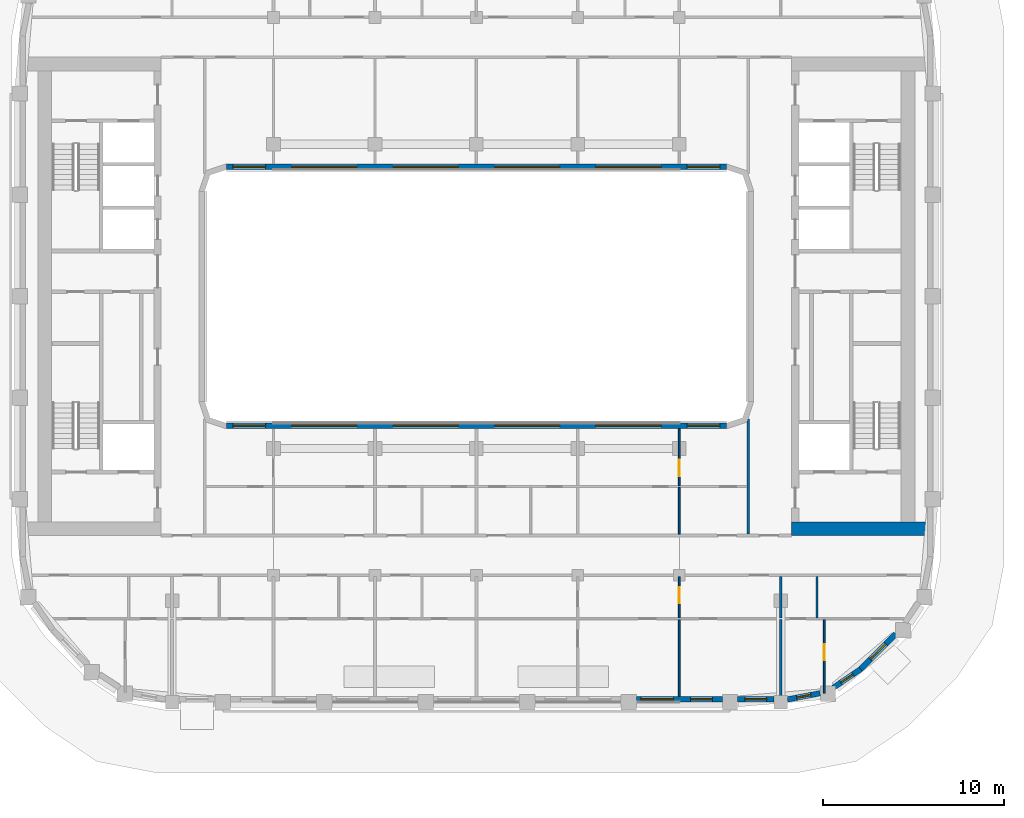
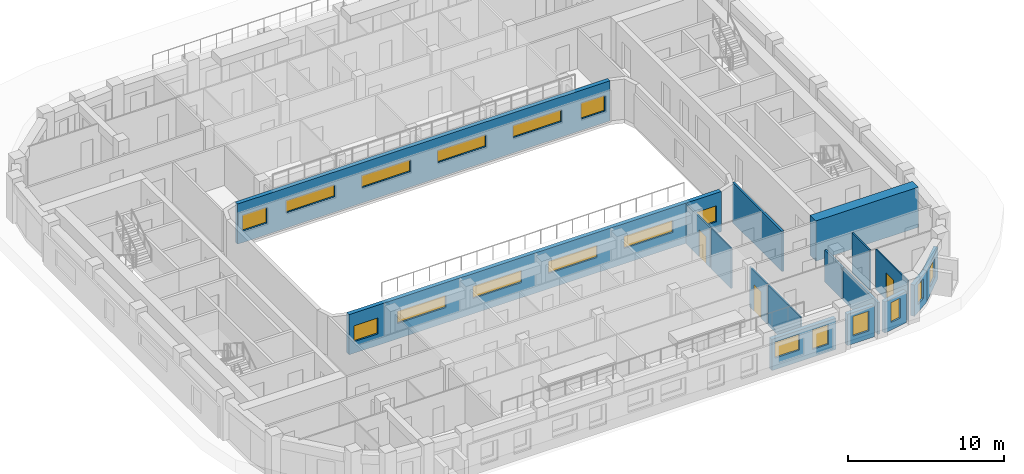
# One storey, part 5 of 16: 18 windows, 17 walls, 3 doors, 21 openings.
"""IFC4 building model written with IfcOpenShell, lengths in metres."""

import ifcopenshell
import ifcopenshell.guid

model = None  # the IFC model being written
_history = None  # IfcOwnerHistory: only IFC2X3 demands one
_inside = {}  # id of a spatial element -> (the spatial element, [elements in it])
_under = {}  # id of a project, library or spatial element -> (it, [spatial elements below it])
_declared = {}  # id of a project -> (the project, [libraries it declares])
_typed = {}  # id of a type object -> (the type object, [elements of that type])
_made_of = {}  # id of a material, layer set ... -> (it, [elements and type objects made of it])


def new_model(schema):
    """Start an empty IFC model of exactly this schema.

    Asked for "IFC4X3", IfcOpenShell would pick the latest addendum, in which some entities
    have other attributes; the version numbers below select the first issue.
    IFC2X3 requires an IfcOwnerHistory on every rooted entity: one is made here for all.
    """
    global model, _history
    if schema == "IFC4X3":
        model = ifcopenshell.file(schema_version=(4, 3, 0, 0))
    else:
        model = ifcopenshell.file(schema=schema)
    _inside.clear()
    _under.clear()
    _declared.clear()
    _typed.clear()
    _made_of.clear()
    _history = None
    if model.schema == "IFC2X3":
        org = make("IfcOrganization", Name="unknown")
        user = make(
            "IfcPersonAndOrganization",
            ThePerson=make("IfcPerson", FamilyName="unknown"),
            TheOrganization=org,
        )
        app = make(
            "IfcApplication",
            ApplicationDeveloper=org,
            Version="unknown",
            ApplicationFullName="unknown",
            ApplicationIdentifier="unknown",
        )
        _history = make(
            "IfcOwnerHistory",
            OwningUser=user,
            OwningApplication=app,
            ChangeAction="ADDED",
            CreationDate=0,
        )
    return model


def make(cls, **values):
    """One entity of the class cls with the attributes given. An attribute that is None is left unset."""
    return model.create_entity(
        cls, **{name: value for name, value in values.items() if value is not None}
    )


def rooted(cls, **values):
    """An entity with a GlobalId (a new one), such as an element, a storey or a relation."""
    return make(cls, GlobalId=ifcopenshell.guid.new(), OwnerHistory=_history, **values)


def si_unit(unit_type, name, prefix=None):
    """IfcSIUnit, for example si_unit("LENGTHUNIT", "METRE", prefix="MILLI")."""
    return make("IfcSIUnit", UnitType=unit_type, Prefix=prefix, Name=name)


def assignment(units):
    """IfcUnitAssignment: the units of a project."""
    return None if units is None else make("IfcUnitAssignment", Units=units)


def point(xyz):
    """IfcCartesianPoint."""
    return None if xyz is None else make("IfcCartesianPoint", Coordinates=xyz)


def direction(xyz):
    """IfcDirection."""
    return None if xyz is None else make("IfcDirection", DirectionRatios=xyz)


def frame(location, z_axis=None, x_axis=None):
    """IfcAxis2Placement3D, a coordinate frame: its origin and axes. An axis left out is left unset."""
    return make(
        "IfcAxis2Placement3D",
        Location=point(location),
        Axis=direction(z_axis),
        RefDirection=direction(x_axis),
    )


def frame_2d(location, x_axis=None):
    """IfcAxis2Placement2D, a coordinate frame in the plane: its origin and x axis."""
    return make(
        "IfcAxis2Placement2D", Location=point(location), RefDirection=direction(x_axis)
    )


def origin():
    """The frame at (0, 0, 0) with its axes left unset."""
    return frame((0.0, 0.0, 0.0))


def place(relative_to, where):
    """IfcLocalPlacement: puts the frame where relative to a parent placement (None: the world)."""
    return make(
        "IfcLocalPlacement", PlacementRelTo=relative_to, RelativePlacement=where
    )


def context(
    kind, dimensions, precision=None, world=None, true_north=None, identifier=None
):
    """IfcGeometricRepresentationContext, for example the 3D "Model" context."""
    return make(
        "IfcGeometricRepresentationContext",
        ContextIdentifier=identifier,
        ContextType=kind,
        CoordinateSpaceDimension=dimensions,
        Precision=precision,
        WorldCoordinateSystem=world,
        TrueNorth=true_north,
    )


def subcontext(parent, identifier, kind, view, scale=None):
    """IfcGeometricRepresentationSubContext, for example "Body" below "Model"."""
    return make(
        "IfcGeometricRepresentationSubContext",
        ContextIdentifier=identifier,
        ContextType=kind,
        ParentContext=parent,
        TargetScale=scale,
        TargetView=view,
    )


def project(units=None, contexts=None):
    """IfcProject with its units and contexts."""
    return rooted(
        "IfcProject",
        Name="project",
        RepresentationContexts=contexts,
        UnitsInContext=assignment(units),
    )


def spatial(cls, under=None, at=None, **own):
    """A site, building, storey or space (cls), placed at a placement, below another one or the project."""
    s = rooted(cls, ObjectPlacement=at, **own)
    if under is not None:
        _under.setdefault(under.id(), (under, []))[1].append(s)
    return s


def profile(cls, at=None, kind="AREA", **sizes):
    """A parametric profile (cls). Its sizes go by their IFC names, for example OverallWidth=200.0."""
    return make(cls, ProfileType=kind, Position=at, **sizes)


def rectangle(**sizes):
    """IfcRectangleProfileDef."""
    return profile("IfcRectangleProfileDef", **sizes)


def extrude(swept, where, along, depth):
    """IfcExtrudedAreaSolid: the profile swept, set in the frame where, extruded along a direction by depth."""
    return make(
        "IfcExtrudedAreaSolid",
        SweptArea=swept,
        Position=where,
        ExtrudedDirection=direction(along),
        Depth=depth,
    )


def shape(context_of_items, identifier, shape_type, items):
    """IfcShapeRepresentation: the items that make up one representation, for example the "Body"."""
    return make(
        "IfcShapeRepresentation",
        ContextOfItems=context_of_items,
        RepresentationIdentifier=identifier,
        RepresentationType=shape_type,
        Items=items,
    )


def material(Name=None, Category=None):
    """IfcMaterial."""
    return make("IfcMaterial", Name=Name, Category=Category)


def layer(
    of_material, thickness, ventilated=None, Name=None, Category=None, Priority=None
):
    """IfcMaterialLayer: one layer of a wall or slab, of a material (None: an air gap)."""
    return make(
        "IfcMaterialLayer",
        Material=of_material,
        LayerThickness=thickness,
        IsVentilated=ventilated,
        Name=Name,
        Category=Category,
        Priority=Priority,
    )


def layer_set(layers, Name=None):
    """IfcMaterialLayerSet."""
    return make("IfcMaterialLayerSet", MaterialLayers=layers, LayerSetName=Name)


def made_of(thing, what):
    """Note that an element or type object is made of a material, layer set ...; save() writes the relation."""
    if what is not None:
        _made_of.setdefault(what.id(), (what, []))[1].append(thing)
    return thing


def type_object(cls, material=None, **own):
    """A type object (cls), such as IfcWallType, which elements share."""
    return made_of(rooted(cls, **own), material)


def element(
    cls,
    number,
    at=None,
    inside=None,
    cuts=None,
    type_object=None,
    material=None,
    context=None,
    identifier="Body",
    shape_type=None,
    held_by="IfcProductDefinitionShape",
    body=None,
    shapes=None,
    **own,
):
    """One element of the class cls, such as IfcWall. Its Tag is "e" and its number.

    at: its placement. inside: the storey or other place that contains it. cuts: it is an
    opening in that element (IfcRelVoidsElement). A single representation is given by context,
    identifier, shape_type and body (its items); several are given by shapes. held_by: the class
    of the entity that holds the representations. save() writes the other relations.
    """
    e = rooted(cls, Tag="e%d" % number, ObjectPlacement=at, **own)
    if body is not None:
        shapes = [shape(context, identifier, shape_type, body)]
    if shapes is not None:
        e.Representation = make(held_by, Representations=shapes)
    if inside is not None:
        _inside.setdefault(inside.id(), (inside, []))[1].append(e)
    if cuts is not None:
        rooted(
            "IfcRelVoidsElement", RelatingBuildingElement=cuts, RelatedOpeningElement=e
        )
    if type_object is not None:
        _typed.setdefault(type_object.id(), (type_object, []))[1].append(e)
    return made_of(e, material)


def fill(opening, filler):
    """IfcRelFillsElement: the door or window that sits in an opening."""
    return rooted(
        "IfcRelFillsElement",
        RelatingOpeningElement=opening,
        RelatedBuildingElement=filler,
    )


def aggregate(whole, parts):
    """IfcRelAggregates: a whole, such as a stair, and the parts it consists of."""
    return rooted("IfcRelAggregates", RelatingObject=whole, RelatedObjects=parts)


def save(model, path):
    """Write the relations noted so far, then the file.

    IfcRelAggregates (storeys below a building ...), IfcRelContainedInSpatialStructure (elements
    in a storey), IfcRelDefinesByType, IfcRelAssociatesMaterial and IfcRelDeclares: one each for
    every whole, place, type object, material and project.
    """
    for whole, parts in _under.values():
        aggregate(whole, parts)
    for where, things in _inside.values():
        rooted(
            "IfcRelContainedInSpatialStructure",
            RelatedElements=things,
            RelatingStructure=where,
        )
    for kind, things in _typed.values():
        rooted("IfcRelDefinesByType", RelatedObjects=things, RelatingType=kind)
    for what, things in _made_of.values():
        rooted("IfcRelAssociatesMaterial", RelatedObjects=things, RelatingMaterial=what)
    for by, libraries in _declared.values():
        rooted("IfcRelDeclares", RelatingContext=by, RelatedDefinitions=libraries)
    model.write(path)


model = new_model("IFC4")

# Units and contexts
model_context = context("Model", 3, precision=1e-05, world=origin(), true_north=direction((0.0, 1.0)))
body_context = subcontext(model_context, "Body", "Model", "MODEL_VIEW")
ifc_project = project(units=[si_unit("LENGTHUNIT", "METRE"), si_unit("AREAUNIT", "SQUARE_METRE"), si_unit("VOLUMEUNIT", "CUBIC_METRE"), si_unit("PLANEANGLEUNIT", "RADIAN"), si_unit("MASSUNIT", "GRAM", prefix="KILO")], contexts=[model_context])

# Site, building, storey
site_placement = place(None, origin())
site = spatial("IfcSite", under=ifc_project, at=site_placement, CompositionType="ELEMENT")
building_placement = place(site_placement, origin())
building = spatial("IfcBuilding", under=site, at=building_placement, Name="Kiln Ring Residences", CompositionType="ELEMENT")
storey_placement = place(building_placement, frame((0.0, 0.0, 227.39990234375)))
storey = spatial("IfcBuildingStorey", under=building, at=storey_placement, Name="L59", CompositionType="ELEMENT", Elevation=227.39990234375)

# Wall
ifc_material_1 = material(Name="Concrete C60/75", Category="concrete")
ifc_layer_1 = layer(ifc_material_1, 0.75)
ifc_layer_set_1 = layer_set([ifc_layer_1], Name="CORE-WALL-RC750")
wall_type_1 = type_object("IfcWallType", Name="CORE-WALL-RC750", PredefinedType="SHEAR", material=ifc_layer_set_1)
wall_1_placement = place(storey_placement, frame((17.39990234375, -12.824951171875, 0.0), z_axis=(0.0, 0.0, 1.0), x_axis=(1.0, 0.0, 0.0)))
element("IfcWall", 1, at=wall_1_placement, inside=storey, type_object=wall_type_1, Name="Core wall east L59 5", PredefinedType="SHEAR", context=body_context, shape_type="SweptSolid", body=[
    extrude(rectangle(XDim=7.60009765625, YDim=0.75, at=frame_2d((3.800048828125, 0.0))), origin(), (0.0, 0.0, 1.0), 3.150146484375),
])

# Wall, openings, windows
ifc_material_2 = material(Name="Brick masonry, dark clay brick", Category="masonry")
ifc_layer_2 = layer(ifc_material_2, 0.300048828125)
ifc_layer_set_2 = layer_set([ifc_layer_2], Name="EW-300 BRICK WALL")
wall_type_2 = type_object("IfcWallType", Name="EW-300 BRICK WALL", PredefinedType="SOLIDWALL", material=ifc_layer_set_2)
wall_2_placement = place(storey_placement, frame((8.824951171875, -22.25, 0.0), z_axis=(0.0, 0.0, 1.0), x_axis=(1.0, 0.0, 0.0)))
wall_2 = element("IfcWall", 2, at=wall_2_placement, inside=storey, type_object=wall_type_2, Name="Facade wall L59 9", PredefinedType="SOLIDWALL", context=body_context, shape_type="SweptSolid", body=[
    extrude(rectangle(XDim=4.75, YDim=0.300048828125, at=frame_2d((2.375, 0.0))), origin(), (0.0, 0.0, 1.0), 2.4501953125),
])
opening_1_placement = place(wall_2_placement, frame((0.25, 0.0, 0.89990234375)))
opening_1 = element("IfcOpeningElement", 3, at=opening_1_placement, cuts=wall_2, Name="Opening W2", PredefinedType="OPENING", context=body_context, shape_type="SweptSolid", body=[
    extrude(rectangle(XDim=1.800048828125, YDim=1.25, at=frame_2d((0.89990234375, 0.625))), frame((0.0, 0.159912109375, 0.0), z_axis=(0.0, -1.0, 0.0), x_axis=(1.0, 0.0, 0.0)), (0.0, 0.0, 1.0), 0.320068359375),
])
opening_2_placement = place(wall_2_placement, frame((3.0, 0.0, 0.60009765625)))
opening_2 = element("IfcOpeningElement", 4, at=opening_2_placement, cuts=wall_2, Name="Opening W1", PredefinedType="OPENING", context=body_context, shape_type="SweptSolid", body=[
    extrude(rectangle(XDim=1.199951171875, YDim=1.550048828125, at=frame_2d((0.60009765625, 0.77490234375))), frame((0.0, 0.159912109375, 0.0), z_axis=(0.0, -1.0, 0.0), x_axis=(1.0, 0.0, 0.0)), (0.0, 0.0, 1.0), 0.320068359375),
])
ifc_material_3 = material(Name="Aluminium frame with double glazing", Category="aluminium")
window_type_1 = type_object("IfcWindowType", Name="WINDOW 1200 x 1550", PartitioningType="SINGLE_PANEL", PredefinedType="WINDOW", material=ifc_material_3)
window_1_placement = place(opening_2_placement, origin())
window_1 = element("IfcWindow", 5, at=window_1_placement, inside=storey, type_object=window_type_1, Name="Window L59 13", OverallHeight=1.550048828125, OverallWidth=1.199951171875, PartitioningType="SINGLE_PANEL", PredefinedType="WINDOW", context=body_context, shape_type="SweptSolid", body=[
    extrude(rectangle(XDim=1.199951171875, YDim=1.550048828125, at=frame_2d((0.60009765625, 0.77490234375))), frame((0.0, 0.030029296875, 0.0), z_axis=(0.0, -1.0, 0.0), x_axis=(1.0, 0.0, 0.0)), (0.0, 0.0, 1.0), 0.06005859375),
])
fill(opening_2, window_1)
ifc_material_4 = material(Name="Aluminium frame with double glazing", Category="aluminium")
window_type_2 = type_object("IfcWindowType", Name="WINDOW 1800 x 1250", PartitioningType="SINGLE_PANEL", PredefinedType="WINDOW", material=ifc_material_4)
window_2_placement = place(opening_1_placement, origin())
window_2 = element("IfcWindow", 6, at=window_2_placement, inside=storey, type_object=window_type_2, Name="Window L59 12", OverallHeight=1.25, OverallWidth=1.800048828125, PartitioningType="SINGLE_PANEL", PredefinedType="WINDOW", context=body_context, shape_type="SweptSolid", body=[
    extrude(rectangle(XDim=1.800048828125, YDim=1.25, at=frame_2d((0.89990234375, 0.625))), frame((0.0, 0.030029296875, 0.0), z_axis=(0.0, -1.0, 0.0), x_axis=(1.0, 0.0, 0.0)), (0.0, 0.0, 1.0), 0.06005859375),
])
fill(opening_1, window_2)

# Wall, opening, window
wall_3_placement = place(storey_placement, frame((14.425048828125, -22.25, 0.0), z_axis=(0.0, 0.0, 1.0), x_axis=(1.0, 0.0, 0.0)))
wall_3 = element("IfcWall", 7, at=wall_3_placement, inside=storey, type_object=wall_type_2, Name="Facade wall L59 10", PredefinedType="SOLIDWALL", context=body_context, shape_type="SweptSolid", body=[
    extrude(rectangle(XDim=2.0, YDim=0.300048828125, at=frame_2d((1.0, 0.0))), origin(), (0.0, 0.0, 1.0), 2.4501953125),
])
opening_3_placement = place(wall_3_placement, frame((0.39990234375, 0.0, 0.60009765625)))
opening_3 = element("IfcOpeningElement", 8, at=opening_3_placement, cuts=wall_3, Name="Opening W1", PredefinedType="OPENING", context=body_context, shape_type="SweptSolid", body=[
    extrude(rectangle(XDim=1.199951171875, YDim=1.550048828125, at=frame_2d((0.60009765625, 0.77490234375))), frame((0.0, 0.159912109375, 0.0), z_axis=(0.0, -1.0, 0.0), x_axis=(1.0, 0.0, 0.0)), (0.0, 0.0, 1.0), 0.320068359375),
])
window_3_placement = place(opening_3_placement, origin())
window_3 = element("IfcWindow", 9, at=window_3_placement, inside=storey, type_object=window_type_1, Name="Window L59 14", OverallHeight=1.550048828125, OverallWidth=1.199951171875, PartitioningType="SINGLE_PANEL", PredefinedType="WINDOW", context=body_context, shape_type="SweptSolid", body=[
    extrude(rectangle(XDim=1.199951171875, YDim=1.550048828125, at=frame_2d((0.60009765625, 0.77490234375))), frame((0.0, 0.030029296875, 0.0), z_axis=(0.0, -1.0, 0.0), x_axis=(1.0, 0.0, 0.0)), (0.0, 0.0, 1.0), 0.06005859375),
])
fill(opening_3, window_3)

wall_4_placement = place(storey_placement, frame((17.171875, -22.252685546875, 0.0), z_axis=(0.0, 0.0, 1.0), x_axis=(0.982300037503, 0.187314271538, 0.0)))
wall_4 = element("IfcWall", 10, at=wall_4_placement, inside=storey, type_object=wall_type_2, Name="Facade wall L59 11", PredefinedType="SOLIDWALL", context=body_context, shape_type="SweptSolid", body=[
    extrude(rectangle(XDim=1.831298828125, YDim=0.300048828125, at=frame_2d((0.91552734375, 0.0))), origin(), (0.0, 0.0, 1.0), 2.4501953125),
])
opening_4_placement = place(wall_4_placement, frame((0.515625, 0.0, 0.60009765625)))
opening_4 = element("IfcOpeningElement", 11, at=opening_4_placement, cuts=wall_4, Name="Opening W5", PredefinedType="OPENING", context=body_context, shape_type="SweptSolid", body=[
    extrude(rectangle(XDim=0.800048828125, YDim=1.550048828125, at=frame_2d((0.39990234375, 0.77490234375))), frame((0.0, 0.159912109375, 0.0), z_axis=(0.0, -1.0, 0.0), x_axis=(1.0, 0.0, 0.0)), (0.0, 0.0, 1.0), 0.320068359375),
])
ifc_material_5 = material(Name="Aluminium frame with double glazing", Category="aluminium")
window_type_3 = type_object("IfcWindowType", Name="WINDOW 800 x 1550", PartitioningType="SINGLE_PANEL", PredefinedType="WINDOW", material=ifc_material_5)
window_4_placement = place(opening_4_placement, origin())
window_4 = element("IfcWindow", 12, at=window_4_placement, inside=storey, type_object=window_type_3, Name="Window L59 15", OverallHeight=1.550048828125, OverallWidth=0.800048828125, PartitioningType="SINGLE_PANEL", PredefinedType="WINDOW", context=body_context, shape_type="SweptSolid", body=[
    extrude(rectangle(XDim=0.800048828125, YDim=1.550048828125, at=frame_2d((0.39990234375, 0.77490234375))), frame((0.0, 0.030029296875, 0.0), z_axis=(0.0, -1.0, 0.0), x_axis=(1.0, 0.0, 0.0)), (0.0, 0.0, 1.0), 0.06005859375),
])
fill(opening_4, window_4)

wall_5_placement = place(storey_placement, frame((19.6982421875, -21.608154296875, 0.0), z_axis=(0.0, 0.0, 1.0), x_axis=(0.82705295608, 0.562124014644, 0.0)))
wall_5 = element("IfcWall", 13, at=wall_5_placement, inside=storey, type_object=wall_type_2, Name="Facade wall L59 12", PredefinedType="SOLIDWALL", context=body_context, shape_type="SweptSolid", body=[
    extrude(rectangle(XDim=1.8310546875, YDim=0.300048828125, at=frame_2d((0.91552734375, 0.0))), origin(), (0.0, 0.0, 1.0), 2.4501953125),
])
opening_5_placement = place(wall_5_placement, frame((0.515625, 0.0, 0.60009765625)))
opening_5 = element("IfcOpeningElement", 14, at=opening_5_placement, cuts=wall_5, Name="Opening W5", PredefinedType="OPENING", context=body_context, shape_type="SweptSolid", body=[
    extrude(rectangle(XDim=0.800048828125, YDim=1.550048828125, at=frame_2d((0.39990234375, 0.77490234375))), frame((0.0, 0.159912109375, 0.0), z_axis=(0.0, -1.0, 0.0), x_axis=(1.0, 0.0, 0.0)), (0.0, 0.0, 1.0), 0.320068359375),
])
window_5_placement = place(opening_5_placement, origin())
window_5 = element("IfcWindow", 15, at=window_5_placement, inside=storey, type_object=window_type_3, Name="Window L59 16", OverallHeight=1.550048828125, OverallWidth=0.800048828125, PartitioningType="SINGLE_PANEL", PredefinedType="WINDOW", context=body_context, shape_type="SweptSolid", body=[
    extrude(rectangle(XDim=0.800048828125, YDim=1.550048828125, at=frame_2d((0.39990234375, 0.77490234375))), frame((0.0, 0.030029296875, 0.0), z_axis=(0.0, -1.0, 0.0), x_axis=(1.0, 0.0, 0.0)), (0.0, 0.0, 1.0), 0.06005859375),
])
fill(opening_5, window_5)

wall_6_placement = place(storey_placement, frame((21.19091796875, -20.596923828125, 0.0), z_axis=(0.0, 0.0, 1.0), x_axis=(0.707150767798, 0.707062791838, 0.0)))
wall_6 = element("IfcWall", 16, at=wall_6_placement, inside=storey, type_object=wall_type_2, Name="Facade wall L59 13", PredefinedType="SOLIDWALL", context=body_context, shape_type="SweptSolid", body=[
    extrude(rectangle(XDim=2.775146484375, YDim=0.300048828125, at=frame_2d((1.3876953125, 0.0))), origin(), (0.0, 0.0, 1.0), 2.4501953125),
])
opening_6_placement = place(wall_6_placement, frame((0.78759765625, 0.0, 0.60009765625)))
opening_6 = element("IfcOpeningElement", 17, at=opening_6_placement, cuts=wall_6, Name="Opening W1", PredefinedType="OPENING", context=body_context, shape_type="SweptSolid", body=[
    extrude(rectangle(XDim=1.199951171875, YDim=1.550048828125, at=frame_2d((0.60009765625, 0.77490234375))), frame((0.0, 0.159912109375, 0.0), z_axis=(0.0, -1.0, 0.0), x_axis=(1.0, 0.0, 0.0)), (0.0, 0.0, 1.0), 0.320068359375),
])
window_6_placement = place(opening_6_placement, origin())
window_6 = element("IfcWindow", 18, at=window_6_placement, inside=storey, type_object=window_type_1, Name="Window L59 17", OverallHeight=1.550048828125, OverallWidth=1.199951171875, PartitioningType="SINGLE_PANEL", PredefinedType="WINDOW", context=body_context, shape_type="SweptSolid", body=[
    extrude(rectangle(XDim=1.199951171875, YDim=1.550048828125, at=frame_2d((0.60009765625, 0.77490234375))), frame((0.0, 0.030029296875, 0.0), z_axis=(0.0, -1.0, 0.0), x_axis=(1.0, 0.0, 0.0)), (0.0, 0.0, 1.0), 0.06005859375),
])
fill(opening_6, window_6)

# Wall, openings, windows
wall_7_placement = place(storey_placement, frame((-13.800048828125, 7.14990234375, 0.0), z_axis=(0.0, 0.0, 1.0), x_axis=(1.0, 0.0, 0.0)))
wall_7 = element("IfcWall", 19, at=wall_7_placement, inside=storey, type_object=wall_type_2, Name="Facade wall L59 48", PredefinedType="SOLIDWALL", context=body_context, shape_type="SweptSolid", body=[
    extrude(rectangle(XDim=27.60009765625, YDim=0.300048828125, at=frame_2d((13.800048828125, 0.0))), origin(), (0.0, 0.0, 1.0), 3.150146484375),
])
opening_7_placement = place(wall_7_placement, frame((0.362548828125, 0.0, 0.89990234375)))
opening_7 = element("IfcOpeningElement", 20, at=opening_7_placement, cuts=wall_7, Name="Opening W2", PredefinedType="OPENING", context=body_context, shape_type="SweptSolid", body=[
    extrude(rectangle(XDim=1.800048828125, YDim=1.25, at=frame_2d((0.89990234375, 0.625))), frame((0.0, 0.159912109375, 0.0), z_axis=(0.0, -1.0, 0.0), x_axis=(1.0, 0.0, 0.0)), (0.0, 0.0, 1.0), 0.320068359375),
])
opening_8_placement = place(wall_7_placement, frame((3.60009765625, 0.0, 1.199951171875)))
opening_8 = element("IfcOpeningElement", 21, at=opening_8_placement, cuts=wall_7, Name="Opening W4", PredefinedType="OPENING", context=body_context, shape_type="SweptSolid", body=[
    extrude(rectangle(XDim=3.60009765625, YDim=0.949951171875, at=frame_2d((1.800048828125, 0.47509765625))), frame((0.0, 0.159912109375, 0.0), z_axis=(0.0, -1.0, 0.0), x_axis=(1.0, 0.0, 0.0)), (0.0, 0.0, 1.0), 0.320068359375),
])
opening_9_placement = place(wall_7_placement, frame((9.199951171875, 0.0, 1.199951171875)))
opening_9 = element("IfcOpeningElement", 22, at=opening_9_placement, cuts=wall_7, Name="Opening W4", PredefinedType="OPENING", context=body_context, shape_type="SweptSolid", body=[
    extrude(rectangle(XDim=3.60009765625, YDim=0.949951171875, at=frame_2d((1.800048828125, 0.47509765625))), frame((0.0, 0.159912109375, 0.0), z_axis=(0.0, -1.0, 0.0), x_axis=(1.0, 0.0, 0.0)), (0.0, 0.0, 1.0), 0.320068359375),
])
opening_10_placement = place(wall_7_placement, frame((14.800048828125, 0.0, 1.199951171875)))
opening_10 = element("IfcOpeningElement", 23, at=opening_10_placement, cuts=wall_7, Name="Opening W4", PredefinedType="OPENING", context=body_context, shape_type="SweptSolid", body=[
    extrude(rectangle(XDim=3.60009765625, YDim=0.949951171875, at=frame_2d((1.800048828125, 0.47509765625))), frame((0.0, 0.159912109375, 0.0), z_axis=(0.0, -1.0, 0.0), x_axis=(1.0, 0.0, 0.0)), (0.0, 0.0, 1.0), 0.320068359375),
])
opening_11_placement = place(wall_7_placement, frame((20.39990234375, 0.0, 1.199951171875)))
opening_11 = element("IfcOpeningElement", 24, at=opening_11_placement, cuts=wall_7, Name="Opening W4", PredefinedType="OPENING", context=body_context, shape_type="SweptSolid", body=[
    extrude(rectangle(XDim=3.60009765625, YDim=0.949951171875, at=frame_2d((1.800048828125, 0.47509765625))), frame((0.0, 0.159912109375, 0.0), z_axis=(0.0, -1.0, 0.0), x_axis=(1.0, 0.0, 0.0)), (0.0, 0.0, 1.0), 0.320068359375),
])
opening_12_placement = place(wall_7_placement, frame((25.4375, 0.0, 0.89990234375)))
opening_12 = element("IfcOpeningElement", 25, at=opening_12_placement, cuts=wall_7, Name="Opening W2", PredefinedType="OPENING", context=body_context, shape_type="SweptSolid", body=[
    extrude(rectangle(XDim=1.800048828125, YDim=1.25, at=frame_2d((0.89990234375, 0.625))), frame((0.0, 0.159912109375, 0.0), z_axis=(0.0, -1.0, 0.0), x_axis=(1.0, 0.0, 0.0)), (0.0, 0.0, 1.0), 0.320068359375),
])
window_7_placement = place(opening_7_placement, origin())
window_7 = element("IfcWindow", 26, at=window_7_placement, inside=storey, type_object=window_type_2, Name="Window L59 34", OverallHeight=1.25, OverallWidth=1.800048828125, PartitioningType="SINGLE_PANEL", PredefinedType="WINDOW", context=body_context, shape_type="SweptSolid", body=[
    extrude(rectangle(XDim=1.800048828125, YDim=1.25, at=frame_2d((0.89990234375, 0.625))), frame((0.0, 0.030029296875, 0.0), z_axis=(0.0, -1.0, 0.0), x_axis=(1.0, 0.0, 0.0)), (0.0, 0.0, 1.0), 0.06005859375),
])
fill(opening_7, window_7)
window_8_placement = place(opening_12_placement, origin())
window_8 = element("IfcWindow", 27, at=window_8_placement, inside=storey, type_object=window_type_2, Name="Window L59 39", OverallHeight=1.25, OverallWidth=1.800048828125, PartitioningType="SINGLE_PANEL", PredefinedType="WINDOW", context=body_context, shape_type="SweptSolid", body=[
    extrude(rectangle(XDim=1.800048828125, YDim=1.25, at=frame_2d((0.89990234375, 0.625))), frame((0.0, 0.030029296875, 0.0), z_axis=(0.0, -1.0, 0.0), x_axis=(1.0, 0.0, 0.0)), (0.0, 0.0, 1.0), 0.06005859375),
])
fill(opening_12, window_8)
ifc_material_6 = material(Name="Aluminium frame with double glazing", Category="aluminium")
window_type_4 = type_object("IfcWindowType", Name="WINDOW 3600 x 950", PartitioningType="SINGLE_PANEL", PredefinedType="WINDOW", material=ifc_material_6)
window_9_placement = place(opening_8_placement, origin())
window_9 = element("IfcWindow", 28, at=window_9_placement, inside=storey, type_object=window_type_4, Name="Window L59 35", OverallHeight=0.949951171875, OverallWidth=3.60009765625, PartitioningType="SINGLE_PANEL", PredefinedType="WINDOW", context=body_context, shape_type="SweptSolid", body=[
    extrude(rectangle(XDim=3.60009765625, YDim=0.949951171875, at=frame_2d((1.800048828125, 0.47509765625))), frame((0.0, 0.030029296875, 0.0), z_axis=(0.0, -1.0, 0.0), x_axis=(1.0, 0.0, 0.0)), (0.0, 0.0, 1.0), 0.06005859375),
])
fill(opening_8, window_9)
window_10_placement = place(opening_9_placement, origin())
window_10 = element("IfcWindow", 29, at=window_10_placement, inside=storey, type_object=window_type_4, Name="Window L59 36", OverallHeight=0.949951171875, OverallWidth=3.60009765625, PartitioningType="SINGLE_PANEL", PredefinedType="WINDOW", context=body_context, shape_type="SweptSolid", body=[
    extrude(rectangle(XDim=3.60009765625, YDim=0.949951171875, at=frame_2d((1.800048828125, 0.47509765625))), frame((0.0, 0.030029296875, 0.0), z_axis=(0.0, -1.0, 0.0), x_axis=(1.0, 0.0, 0.0)), (0.0, 0.0, 1.0), 0.06005859375),
])
fill(opening_9, window_10)
window_11_placement = place(opening_10_placement, origin())
window_11 = element("IfcWindow", 30, at=window_11_placement, inside=storey, type_object=window_type_4, Name="Window L59 37", OverallHeight=0.949951171875, OverallWidth=3.60009765625, PartitioningType="SINGLE_PANEL", PredefinedType="WINDOW", context=body_context, shape_type="SweptSolid", body=[
    extrude(rectangle(XDim=3.60009765625, YDim=0.949951171875, at=frame_2d((1.800048828125, 0.47509765625))), frame((0.0, 0.030029296875, 0.0), z_axis=(0.0, -1.0, 0.0), x_axis=(1.0, 0.0, 0.0)), (0.0, 0.0, 1.0), 0.06005859375),
])
fill(opening_10, window_11)
window_12_placement = place(opening_11_placement, origin())
window_12 = element("IfcWindow", 31, at=window_12_placement, inside=storey, type_object=window_type_4, Name="Window L59 38", OverallHeight=0.949951171875, OverallWidth=3.60009765625, PartitioningType="SINGLE_PANEL", PredefinedType="WINDOW", context=body_context, shape_type="SweptSolid", body=[
    extrude(rectangle(XDim=3.60009765625, YDim=0.949951171875, at=frame_2d((1.800048828125, 0.47509765625))), frame((0.0, 0.030029296875, 0.0), z_axis=(0.0, -1.0, 0.0), x_axis=(1.0, 0.0, 0.0)), (0.0, 0.0, 1.0), 0.06005859375),
])
fill(opening_11, window_12)

wall_8_placement = place(storey_placement, frame((13.800048828125, -7.14990234375, 0.0), z_axis=(0.0, 0.0, 1.0), x_axis=(-1.0, 0.0, 0.0)))
wall_8 = element("IfcWall", 32, at=wall_8_placement, inside=storey, type_object=wall_type_2, Name="Facade wall L59 50", PredefinedType="SOLIDWALL", context=body_context, shape_type="SweptSolid", body=[
    extrude(rectangle(XDim=27.60009765625, YDim=0.300048828125, at=frame_2d((13.800048828125, 0.0))), origin(), (0.0, 0.0, 1.0), 3.150146484375),
])
opening_13_placement = place(wall_8_placement, frame((0.362548828125, 0.0, 0.89990234375)))
opening_13 = element("IfcOpeningElement", 33, at=opening_13_placement, cuts=wall_8, Name="Opening W2", PredefinedType="OPENING", context=body_context, shape_type="SweptSolid", body=[
    extrude(rectangle(XDim=1.800048828125, YDim=1.25, at=frame_2d((0.89990234375, 0.625))), frame((0.0, 0.159912109375, 0.0), z_axis=(0.0, -1.0, 0.0), x_axis=(1.0, 0.0, 0.0)), (0.0, 0.0, 1.0), 0.320068359375),
])
opening_14_placement = place(wall_8_placement, frame((3.60009765625, 0.0, 1.199951171875)))
opening_14 = element("IfcOpeningElement", 34, at=opening_14_placement, cuts=wall_8, Name="Opening W4", PredefinedType="OPENING", context=body_context, shape_type="SweptSolid", body=[
    extrude(rectangle(XDim=3.60009765625, YDim=0.949951171875, at=frame_2d((1.800048828125, 0.47509765625))), frame((0.0, 0.159912109375, 0.0), z_axis=(0.0, -1.0, 0.0), x_axis=(1.0, 0.0, 0.0)), (0.0, 0.0, 1.0), 0.320068359375),
])
opening_15_placement = place(wall_8_placement, frame((9.199951171875, 0.0, 1.199951171875)))
opening_15 = element("IfcOpeningElement", 35, at=opening_15_placement, cuts=wall_8, Name="Opening W4", PredefinedType="OPENING", context=body_context, shape_type="SweptSolid", body=[
    extrude(rectangle(XDim=3.60009765625, YDim=0.949951171875, at=frame_2d((1.800048828125, 0.47509765625))), frame((0.0, 0.159912109375, 0.0), z_axis=(0.0, -1.0, 0.0), x_axis=(1.0, 0.0, 0.0)), (0.0, 0.0, 1.0), 0.320068359375),
])
opening_16_placement = place(wall_8_placement, frame((14.800048828125, 0.0, 1.199951171875)))
opening_16 = element("IfcOpeningElement", 36, at=opening_16_placement, cuts=wall_8, Name="Opening W4", PredefinedType="OPENING", context=body_context, shape_type="SweptSolid", body=[
    extrude(rectangle(XDim=3.60009765625, YDim=0.949951171875, at=frame_2d((1.800048828125, 0.47509765625))), frame((0.0, 0.159912109375, 0.0), z_axis=(0.0, -1.0, 0.0), x_axis=(1.0, 0.0, 0.0)), (0.0, 0.0, 1.0), 0.320068359375),
])
opening_17_placement = place(wall_8_placement, frame((20.39990234375, 0.0, 1.199951171875)))
opening_17 = element("IfcOpeningElement", 37, at=opening_17_placement, cuts=wall_8, Name="Opening W4", PredefinedType="OPENING", context=body_context, shape_type="SweptSolid", body=[
    extrude(rectangle(XDim=3.60009765625, YDim=0.949951171875, at=frame_2d((1.800048828125, 0.47509765625))), frame((0.0, 0.159912109375, 0.0), z_axis=(0.0, -1.0, 0.0), x_axis=(1.0, 0.0, 0.0)), (0.0, 0.0, 1.0), 0.320068359375),
])
opening_18_placement = place(wall_8_placement, frame((25.4375, 0.0, 0.89990234375)))
opening_18 = element("IfcOpeningElement", 38, at=opening_18_placement, cuts=wall_8, Name="Opening W2", PredefinedType="OPENING", context=body_context, shape_type="SweptSolid", body=[
    extrude(rectangle(XDim=1.800048828125, YDim=1.25, at=frame_2d((0.89990234375, 0.625))), frame((0.0, 0.159912109375, 0.0), z_axis=(0.0, -1.0, 0.0), x_axis=(1.0, 0.0, 0.0)), (0.0, 0.0, 1.0), 0.320068359375),
])
window_13_placement = place(opening_13_placement, origin())
window_13 = element("IfcWindow", 39, at=window_13_placement, inside=storey, type_object=window_type_2, Name="Window L59 40", OverallHeight=1.25, OverallWidth=1.800048828125, PartitioningType="SINGLE_PANEL", PredefinedType="WINDOW", context=body_context, shape_type="SweptSolid", body=[
    extrude(rectangle(XDim=1.800048828125, YDim=1.25, at=frame_2d((0.89990234375, 0.625))), frame((0.0, 0.030029296875, 0.0), z_axis=(0.0, -1.0, 0.0), x_axis=(1.0, 0.0, 0.0)), (0.0, 0.0, 1.0), 0.06005859375),
])
fill(opening_13, window_13)
window_14_placement = place(opening_18_placement, origin())
window_14 = element("IfcWindow", 40, at=window_14_placement, inside=storey, type_object=window_type_2, Name="Window L59 45", OverallHeight=1.25, OverallWidth=1.800048828125, PartitioningType="SINGLE_PANEL", PredefinedType="WINDOW", context=body_context, shape_type="SweptSolid", body=[
    extrude(rectangle(XDim=1.800048828125, YDim=1.25, at=frame_2d((0.89990234375, 0.625))), frame((0.0, 0.030029296875, 0.0), z_axis=(0.0, -1.0, 0.0), x_axis=(1.0, 0.0, 0.0)), (0.0, 0.0, 1.0), 0.06005859375),
])
fill(opening_18, window_14)
window_15_placement = place(opening_14_placement, origin())
window_15 = element("IfcWindow", 41, at=window_15_placement, inside=storey, type_object=window_type_4, Name="Window L59 41", OverallHeight=0.949951171875, OverallWidth=3.60009765625, PartitioningType="SINGLE_PANEL", PredefinedType="WINDOW", context=body_context, shape_type="SweptSolid", body=[
    extrude(rectangle(XDim=3.60009765625, YDim=0.949951171875, at=frame_2d((1.800048828125, 0.47509765625))), frame((0.0, 0.030029296875, 0.0), z_axis=(0.0, -1.0, 0.0), x_axis=(1.0, 0.0, 0.0)), (0.0, 0.0, 1.0), 0.06005859375),
])
fill(opening_14, window_15)
window_16_placement = place(opening_15_placement, origin())
window_16 = element("IfcWindow", 42, at=window_16_placement, inside=storey, type_object=window_type_4, Name="Window L59 42", OverallHeight=0.949951171875, OverallWidth=3.60009765625, PartitioningType="SINGLE_PANEL", PredefinedType="WINDOW", context=body_context, shape_type="SweptSolid", body=[
    extrude(rectangle(XDim=3.60009765625, YDim=0.949951171875, at=frame_2d((1.800048828125, 0.47509765625))), frame((0.0, 0.030029296875, 0.0), z_axis=(0.0, -1.0, 0.0), x_axis=(1.0, 0.0, 0.0)), (0.0, 0.0, 1.0), 0.06005859375),
])
fill(opening_15, window_16)
window_17_placement = place(opening_16_placement, origin())
window_17 = element("IfcWindow", 43, at=window_17_placement, inside=storey, type_object=window_type_4, Name="Window L59 43", OverallHeight=0.949951171875, OverallWidth=3.60009765625, PartitioningType="SINGLE_PANEL", PredefinedType="WINDOW", context=body_context, shape_type="SweptSolid", body=[
    extrude(rectangle(XDim=3.60009765625, YDim=0.949951171875, at=frame_2d((1.800048828125, 0.47509765625))), frame((0.0, 0.030029296875, 0.0), z_axis=(0.0, -1.0, 0.0), x_axis=(1.0, 0.0, 0.0)), (0.0, 0.0, 1.0), 0.06005859375),
])
fill(opening_16, window_17)
window_18_placement = place(opening_17_placement, origin())
window_18 = element("IfcWindow", 44, at=window_18_placement, inside=storey, type_object=window_type_4, Name="Window L59 44", OverallHeight=0.949951171875, OverallWidth=3.60009765625, PartitioningType="SINGLE_PANEL", PredefinedType="WINDOW", context=body_context, shape_type="SweptSolid", body=[
    extrude(rectangle(XDim=3.60009765625, YDim=0.949951171875, at=frame_2d((1.800048828125, 0.47509765625))), frame((0.0, 0.030029296875, 0.0), z_axis=(0.0, -1.0, 0.0), x_axis=(1.0, 0.0, 0.0)), (0.0, 0.0, 1.0), 0.06005859375),
])
fill(opening_17, window_18)

# Wall
ifc_material_7 = material(Name="Gypsum board on steel studs", Category="steel")
ifc_layer_3 = layer(ifc_material_7, 0.10009765625)
ifc_layer_set_3 = layer_set([ifc_layer_3], Name="PARTITION-100")
wall_type_3 = type_object("IfcWallType", Name="PARTITION-100", PredefinedType="PARTITIONING", material=ifc_layer_set_3)
wall_9_placement = place(storey_placement, frame((11.199951171875, -22.080078125, 0.0), z_axis=(0.0, 0.0, 1.0), x_axis=(0.0, 1.0, 0.0)))
element("IfcWall", 45, at=wall_9_placement, inside=storey, type_object=wall_type_3, Name="Partition 052", PredefinedType="PARTITIONING", context=body_context, shape_type="SweptSolid", body=[
    extrude(rectangle(XDim=4.22998046875, YDim=0.10009765625, at=frame_2d((2.114990234375, 0.0))), origin(), (0.0, 0.0, 1.0), 3.150146484375),
])

# Wall, opening, door
wall_10_placement = place(storey_placement, frame((11.199951171875, -17.75, 0.0), z_axis=(0.0, 0.0, 1.0), x_axis=(0.0, 1.0, 0.0)))
wall_10 = element("IfcWall", 46, at=wall_10_placement, inside=storey, type_object=wall_type_3, Name="Partition 053", PredefinedType="PARTITIONING", context=body_context, shape_type="SweptSolid", body=[
    extrude(rectangle(XDim=2.27490234375, YDim=0.10009765625, at=frame_2d((1.137451171875, 0.0))), origin(), (0.0, 0.0, 1.0), 3.150146484375),
])
opening_19_placement = place(wall_10_placement, frame((0.799072265625, 0.0, 0.0)))
opening_19 = element("IfcOpeningElement", 47, at=opening_19_placement, cuts=wall_10, Name="Opening L59-D059", PredefinedType="OPENING", context=body_context, shape_type="SweptSolid", body=[
    extrude(rectangle(XDim=0.89990234375, YDim=2.10009765625, at=frame_2d((0.449951171875, 1.050048828125))), frame((0.0, 0.06005859375, 0.0), z_axis=(0.0, -1.0, 0.0), x_axis=(1.0, 0.0, 0.0)), (0.0, 0.0, 1.0), 0.1201171875),
])
ifc_material_8 = material(Name="Timber door leaf", Category="wood")
door_type = type_object("IfcDoorType", Name="FLAT-DOOR-900-PL", OperationType="SINGLE_SWING_LEFT", PredefinedType="DOOR", material=ifc_material_8)
door_1_placement = place(opening_19_placement, origin())
door_1 = element("IfcDoor", 48, at=door_1_placement, inside=storey, type_object=door_type, Name="Door L59-D059", OperationType="SINGLE_SWING_LEFT", OverallHeight=2.10009765625, OverallWidth=0.89990234375, PredefinedType="DOOR", context=body_context, shape_type="SweptSolid", body=[
    extrude(rectangle(XDim=0.89990234375, YDim=2.10009765625, at=frame_2d((0.449951171875, 1.050048828125))), frame((0.0, 0.02490234375, 0.0), z_axis=(0.0, -1.0, 0.0), x_axis=(1.0, 0.0, 0.0)), (0.0, 0.0, 1.0), 0.050048828125),
])
fill(opening_19, door_1)

# Wall
wall_11_placement = place(storey_placement, frame((11.199951171875, -13.125, 0.0), z_axis=(0.0, 0.0, 1.0), x_axis=(0.0, 1.0, 0.0)))
element("IfcWall", 49, at=wall_11_placement, inside=storey, type_object=wall_type_3, Name="Partition 054", PredefinedType="PARTITIONING", context=body_context, shape_type="SweptSolid", body=[
    extrude(rectangle(XDim=2.574951171875, YDim=0.10009765625, at=frame_2d((1.28759765625, 0.0))), origin(), (0.0, 0.0, 1.0), 3.150146484375),
])

# Wall, opening, door
wall_12_placement = place(storey_placement, frame((11.199951171875, -10.449951171875, 0.0), z_axis=(0.0, 0.0, 1.0), x_axis=(0.0, 1.0, 0.0)))
wall_12 = element("IfcWall", 50, at=wall_12_placement, inside=storey, type_object=wall_type_3, Name="Partition 055", PredefinedType="PARTITIONING", context=body_context, shape_type="SweptSolid", body=[
    extrude(rectangle(XDim=3.1298828125, YDim=0.10009765625, at=frame_2d((1.56494140625, 0.0))), origin(), (0.0, 0.0, 1.0), 3.150146484375),
])
opening_20_placement = place(wall_12_placement, frame((0.530029296875, 0.0, 0.0)))
opening_20 = element("IfcOpeningElement", 51, at=opening_20_placement, cuts=wall_12, Name="Opening L59-D044", PredefinedType="OPENING", context=body_context, shape_type="SweptSolid", body=[
    extrude(rectangle(XDim=0.89990234375, YDim=2.10009765625, at=frame_2d((0.449951171875, 1.050048828125))), frame((0.0, 0.06005859375, 0.0), z_axis=(0.0, -1.0, 0.0), x_axis=(1.0, 0.0, 0.0)), (0.0, 0.0, 1.0), 0.1201171875),
])
door_2_placement = place(opening_20_placement, origin())
door_2 = element("IfcDoor", 52, at=door_2_placement, inside=storey, type_object=door_type, Name="Door L59-D044", OperationType="SINGLE_SWING_RIGHT", OverallHeight=2.10009765625, OverallWidth=0.89990234375, PredefinedType="DOOR", context=body_context, shape_type="SweptSolid", body=[
    extrude(rectangle(XDim=0.89990234375, YDim=2.10009765625, at=frame_2d((0.449951171875, 1.050048828125))), frame((0.0, 0.02490234375, 0.0), z_axis=(0.0, -1.0, 0.0), x_axis=(1.0, 0.0, 0.0)), (0.0, 0.0, 1.0), 0.050048828125),
])
fill(opening_20, door_2)

# Wall
wall_13_placement = place(storey_placement, frame((18.800048828125, -17.75, 0.0), z_axis=(0.0, 0.0, 1.0), x_axis=(0.0, 1.0, 0.0)))
element("IfcWall", 53, at=wall_13_placement, inside=storey, type_object=wall_type_3, Name="Partition 065", PredefinedType="PARTITIONING", context=body_context, shape_type="SweptSolid", body=[
    extrude(rectangle(XDim=2.27490234375, YDim=0.10009765625, at=frame_2d((1.137451171875, 0.0))), origin(), (0.0, 0.0, 1.0), 3.150146484375),
])

# Wall, opening, door
wall_14_placement = place(storey_placement, frame((19.199951171875, -21.919921875, 0.0), z_axis=(0.0, 0.0, 1.0), x_axis=(0.0, 1.0, 0.0)))
wall_14 = element("IfcWall", 54, at=wall_14_placement, inside=storey, type_object=wall_type_3, Name="Partition 066", PredefinedType="PARTITIONING", context=body_context, shape_type="SweptSolid", body=[
    extrude(rectangle(XDim=4.06982421875, YDim=0.10009765625, at=frame_2d((2.034912109375, 0.0))), origin(), (0.0, 0.0, 1.0), 3.150146484375),
])
opening_21_placement = place(wall_14_placement, frame((1.820068359375, 0.0, 0.0)))
opening_21 = element("IfcOpeningElement", 55, at=opening_21_placement, cuts=wall_14, Name="Opening L59-D067", PredefinedType="OPENING", context=body_context, shape_type="SweptSolid", body=[
    extrude(rectangle(XDim=0.89990234375, YDim=2.10009765625, at=frame_2d((0.449951171875, 1.050048828125))), frame((0.0, 0.06005859375, 0.0), z_axis=(0.0, -1.0, 0.0), x_axis=(1.0, 0.0, 0.0)), (0.0, 0.0, 1.0), 0.1201171875),
])
door_3_placement = place(opening_21_placement, origin())
door_3 = element("IfcDoor", 56, at=door_3_placement, inside=storey, type_object=door_type, Name="Door L59-D067", OperationType="SINGLE_SWING_LEFT", OverallHeight=2.10009765625, OverallWidth=0.89990234375, PredefinedType="DOOR", context=body_context, shape_type="SweptSolid", body=[
    extrude(rectangle(XDim=0.89990234375, YDim=2.10009765625, at=frame_2d((0.449951171875, 1.050048828125))), frame((0.0, 0.02490234375, 0.0), z_axis=(0.0, -1.0, 0.0), x_axis=(1.0, 0.0, 0.0)), (0.0, 0.0, 1.0), 0.050048828125),
])
fill(opening_21, door_3)

# Walls
ifc_material_9 = material(Name="Brick masonry partition", Category="masonry")
ifc_layer_4 = layer(ifc_material_9, 0.14990234375)
ifc_layer_set_4 = layer_set([ifc_layer_4], Name="PARTITION-150-ei60")
wall_type_4 = type_object("IfcWallType", Name="PARTITION-150-ei60", PredefinedType="PARTITIONING", material=ifc_layer_set_4)
wall_15_placement = place(storey_placement, frame((15.0, -13.125, 0.0), z_axis=(0.0, 0.0, 1.0), x_axis=(0.0, 1.0, 0.0)))
element("IfcWall", 57, at=wall_15_placement, inside=storey, type_object=wall_type_4, Name="Partition 059", PredefinedType="PARTITIONING", context=body_context, shape_type="SweptSolid", body=[
    extrude(rectangle(XDim=6.356201171875, YDim=0.14990234375, at=frame_2d((3.17822265625, 0.0))), origin(), (0.0, 0.0, 1.0), 3.150146484375),
])
wall_16_placement = place(storey_placement, frame((16.800048828125, -22.31005859375, 0.0), z_axis=(0.0, 0.0, 1.0), x_axis=(0.0, 1.0, 0.0)))
element("IfcWall", 58, at=wall_16_placement, inside=storey, type_object=wall_type_4, Name="Partition 063", PredefinedType="PARTITIONING", context=body_context, shape_type="SweptSolid", body=[
    extrude(rectangle(XDim=4.4599609375, YDim=0.14990234375, at=frame_2d((2.22998046875, 0.0))), origin(), (0.0, 0.0, 1.0), 2.5),
])
wall_17_placement = place(storey_placement, frame((16.800048828125, -17.75, 0.0), z_axis=(0.0, 0.0, 1.0), x_axis=(0.0, 1.0, 0.0)))
element("IfcWall", 59, at=wall_17_placement, inside=storey, type_object=wall_type_4, Name="Partition 064", PredefinedType="PARTITIONING", context=body_context, shape_type="SweptSolid", body=[
    extrude(rectangle(XDim=2.27490234375, YDim=0.14990234375, at=frame_2d((1.137451171875, 0.0))), origin(), (0.0, 0.0, 1.0), 2.5),
])

save(model, "model.ifc")
